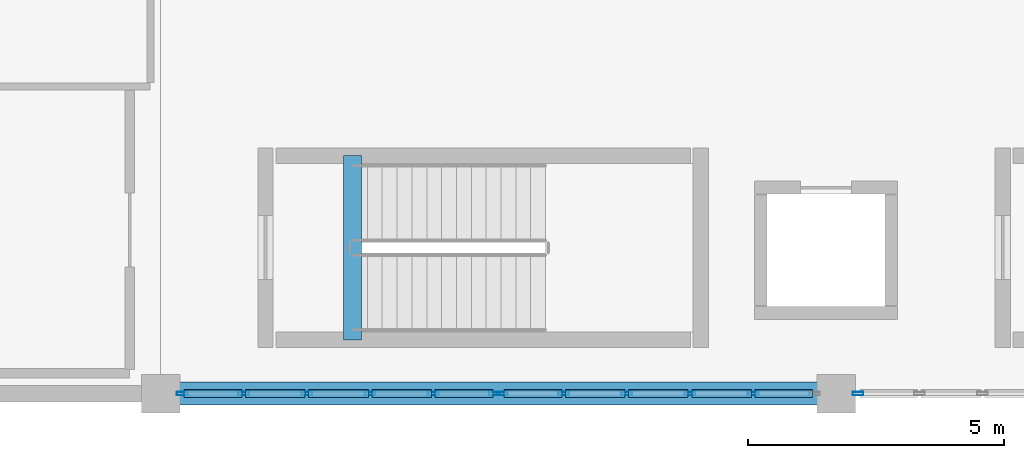
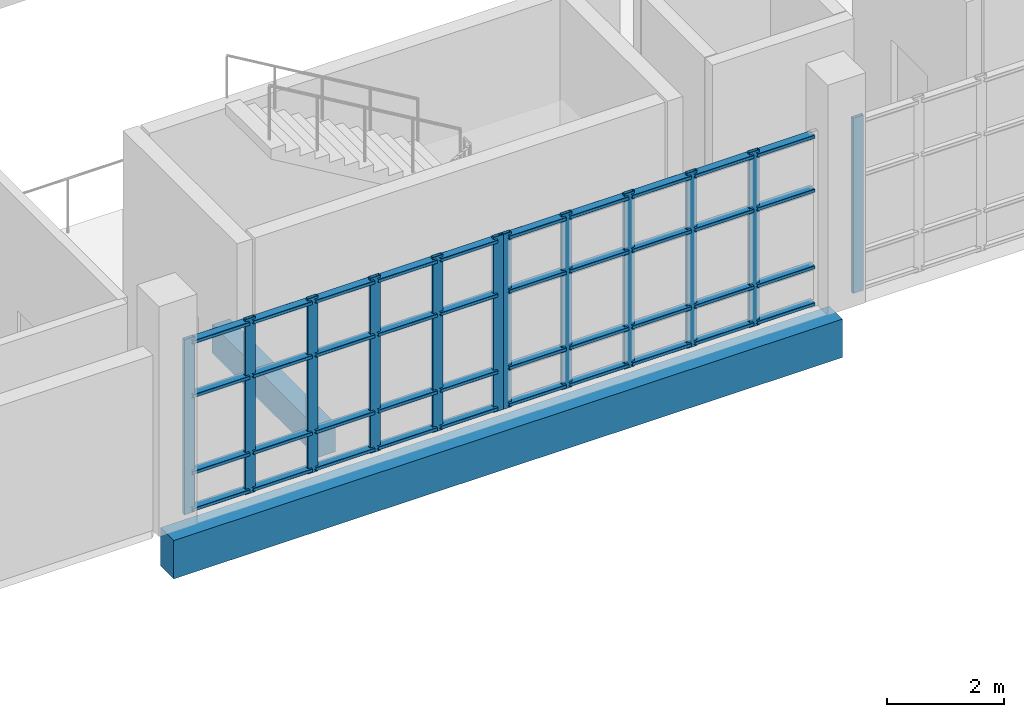
# One storey, part 44 of 106: 52 members, 2 beams, 3 elements without a shape of their own.
"""IFC4 building model written with IfcOpenShell, lengths in metres."""

from ifc_helpers import new_model, si_unit, direction, frame, origin, origin_2d, place, context, subcontext, project, spatial, rectangle, hollow_rectangle, extrude, material, layer, layer_set, material_profile, profile_set, type_object, element, aggregate, save


model = new_model("IFC4")

# Units and contexts
model_context = context("Model", 3, precision=1e-05, world=origin(), true_north=direction((0.0, 1.0)))
body_context = subcontext(model_context, "Body", "Model", "MODEL_VIEW")
ifc_project = project(units=[si_unit("LENGTHUNIT", "METRE"), si_unit("AREAUNIT", "SQUARE_METRE"), si_unit("VOLUMEUNIT", "CUBIC_METRE"), si_unit("PLANEANGLEUNIT", "RADIAN"), si_unit("MASSUNIT", "GRAM", prefix="KILO")], contexts=[model_context])

# Site, building, storey
site_placement = place(None, origin())
site = spatial("IfcSite", under=ifc_project, at=site_placement, CompositionType="ELEMENT")
building_placement = place(site_placement, origin())
building = spatial("IfcBuilding", under=site, at=building_placement, Name="Kisaragi Civic Commons", CompositionType="ELEMENT")
storey_placement = place(building_placement, frame((0.0, 0.0, 4.800048828125)))
storey = spatial("IfcBuildingStorey", under=building, at=storey_placement, Name="L01", CompositionType="ELEMENT", Elevation=4.800048828125)

# Curtain wall, member
ifc_material_1 = material(Name="Thermally broken anodized aluminium and low-E double glazing", Category="aluminium")
ifc_layer = layer(ifc_material_1, 0.2099609375, Name="Thermally broken anodized aluminium and low-E double glazing", Category="aluminium")
ifc_layer_set = layer_set([ifc_layer], Name="Thermally broken anodized aluminium and low-E double glazing")
curtain_wall_type = type_object("IfcCurtainWallType", Name="CW-02", PredefinedType="NOTDEFINED", material=ifc_layer_set)
curtain_wall_1_placement = place(storey_placement, origin())
curtain_wall_1 = element("IfcCurtainWall", 1, at=curtain_wall_1_placement, inside=storey, type_object=curtain_wall_type, Name="L01 curtain wall CW-02 CW-V3-L01-028", PredefinedType="NOTDEFINED")
ifc_material_profile_1 = material_profile(ifc_material_1, hollow_rectangle(XDim=0.070068359375, YDim=0.2099609375, WallThickness=0.0048828125, InnerFilletRadius=0.0048828125, OuterFilletRadius=0.010009765625, at=origin_2d()), Name="CWM-70x210x5", Category="aluminium")
ifc_profile_set_1 = profile_set([ifc_material_profile_1], Name="Thermally broken anodized aluminium and low-E double glazing")
member_type_1 = type_object("IfcMemberType", Name="CWM-03", PredefinedType="MULLION", material=ifc_profile_set_1)
member_1_placement = place(storey_placement, frame((160.02490234375, 0.0, 0.0), z_axis=(0.0, 0.0, 1.0), x_axis=(0.0, -1.0, 0.0)))
member_1 = element("IfcMember", 2, at=member_1_placement, type_object=member_type_1, Name="CW-02 mullion 6", PredefinedType="MULLION", context=body_context, shape_type="SweptSolid", body=[
    extrude(hollow_rectangle(XDim=0.070068359375, YDim=0.2099609375, WallThickness=0.0048828125, InnerFilletRadius=0.0048828125, OuterFilletRadius=0.010009765625, at=origin_2d()), origin(), (0.0, 0.0, 1.0), 3.655029296875),
])
aggregate(curtain_wall_1, [member_1])

# Curtain wall, members
curtain_wall_2_placement = place(storey_placement, origin())
curtain_wall_2 = element("IfcCurtainWall", 3, at=curtain_wall_2_placement, inside=storey, type_object=curtain_wall_type, Name="L01 curtain wall CW-02 CW-V3-L01-029", PredefinedType="NOTDEFINED")
member_2_placement = place(storey_placement, frame((157.97607421875, 0.0, 0.0), z_axis=(0.0, 0.0, 1.0), x_axis=(0.0, -1.0, 0.0)))
member_2 = element("IfcMember", 4, at=member_2_placement, type_object=member_type_1, Name="CW-02 mullion 2", PredefinedType="MULLION", context=body_context, shape_type="SweptSolid", body=[
    extrude(hollow_rectangle(XDim=0.070068359375, YDim=0.2099609375, WallThickness=0.0048828125, InnerFilletRadius=0.0048828125, OuterFilletRadius=0.010009765625, at=origin_2d()), origin(), (0.0, 0.0, 1.0), 3.655029296875),
])
member_3_placement = place(storey_placement, frame((156.741943359375, 0.0, 0.0), z_axis=(0.0, 0.0, 1.0), x_axis=(0.0, -1.0, 0.0)))
member_3 = element("IfcMember", 5, at=member_3_placement, type_object=member_type_1, Name="CW-02 mullion 3", PredefinedType="MULLION", context=body_context, shape_type="SweptSolid", body=[
    extrude(hollow_rectangle(XDim=0.070068359375, YDim=0.2099609375, WallThickness=0.0048828125, InnerFilletRadius=0.0048828125, OuterFilletRadius=0.010009765625, at=origin_2d()), origin(), (0.0, 0.0, 1.0), 3.655029296875),
])
member_4_placement = place(storey_placement, frame((155.508056640625, 0.0, 0.0), z_axis=(0.0, 0.0, 1.0), x_axis=(0.0, -1.0, 0.0)))
member_4 = element("IfcMember", 6, at=member_4_placement, type_object=member_type_1, Name="CW-02 mullion 4", PredefinedType="MULLION", context=body_context, shape_type="SweptSolid", body=[
    extrude(hollow_rectangle(XDim=0.070068359375, YDim=0.2099609375, WallThickness=0.0048828125, InnerFilletRadius=0.0048828125, OuterFilletRadius=0.010009765625, at=origin_2d()), origin(), (0.0, 0.0, 1.0), 3.655029296875),
])
member_5_placement = place(storey_placement, frame((154.27392578125, 0.0, 0.0), z_axis=(0.0, 0.0, 1.0), x_axis=(0.0, -1.0, 0.0)))
member_5 = element("IfcMember", 7, at=member_5_placement, type_object=member_type_1, Name="CW-02 mullion 5", PredefinedType="MULLION", context=body_context, shape_type="SweptSolid", body=[
    extrude(hollow_rectangle(XDim=0.070068359375, YDim=0.2099609375, WallThickness=0.0048828125, InnerFilletRadius=0.0048828125, OuterFilletRadius=0.010009765625, at=origin_2d()), origin(), (0.0, 0.0, 1.0), 3.655029296875),
])
member_6_placement = place(storey_placement, frame((153.074951171875, 0.0, 0.0), z_axis=(0.0, 0.0, 1.0), x_axis=(0.0, -1.0, 0.0)))
member_6 = element("IfcMember", 8, at=member_6_placement, type_object=member_type_1, Name="CW-02 mullion 6", PredefinedType="MULLION", context=body_context, shape_type="SweptSolid", body=[
    extrude(hollow_rectangle(XDim=0.070068359375, YDim=0.2099609375, WallThickness=0.0048828125, InnerFilletRadius=0.0048828125, OuterFilletRadius=0.010009765625, at=origin_2d()), origin(), (0.0, 0.0, 1.0), 3.655029296875),
])

curtain_wall_3_placement = place(storey_placement, origin())
curtain_wall_3 = element("IfcCurtainWall", 9, at=curtain_wall_3_placement, inside=storey, type_object=curtain_wall_type, Name="L01 curtain wall CW-02 CW-V3-L01-030", PredefinedType="NOTDEFINED")
member_7_placement = place(storey_placement, frame((152.925048828125, 0.0, 0.0), z_axis=(0.0, 0.0, 1.0), x_axis=(0.0, -1.0, 0.0)))
member_7 = element("IfcMember", 10, at=member_7_placement, type_object=member_type_1, Name="CW-02 mullion 1", PredefinedType="MULLION", context=body_context, shape_type="SweptSolid", body=[
    extrude(hollow_rectangle(XDim=0.070068359375, YDim=0.2099609375, WallThickness=0.0048828125, InnerFilletRadius=0.0048828125, OuterFilletRadius=0.010009765625, at=origin_2d()), origin(), (0.0, 0.0, 1.0), 3.655029296875),
])
member_8_placement = place(storey_placement, frame((151.72607421875, 0.0, 0.0), z_axis=(0.0, 0.0, 1.0), x_axis=(0.0, -1.0, 0.0)))
member_8 = element("IfcMember", 11, at=member_8_placement, type_object=member_type_1, Name="CW-02 mullion 2", PredefinedType="MULLION", context=body_context, shape_type="SweptSolid", body=[
    extrude(hollow_rectangle(XDim=0.070068359375, YDim=0.2099609375, WallThickness=0.0048828125, InnerFilletRadius=0.0048828125, OuterFilletRadius=0.010009765625, at=origin_2d()), origin(), (0.0, 0.0, 1.0), 3.655029296875),
])
member_9_placement = place(storey_placement, frame((150.491943359375, 0.0, 0.0), z_axis=(0.0, 0.0, 1.0), x_axis=(0.0, -1.0, 0.0)))
member_9 = element("IfcMember", 12, at=member_9_placement, type_object=member_type_1, Name="CW-02 mullion 3", PredefinedType="MULLION", context=body_context, shape_type="SweptSolid", body=[
    extrude(hollow_rectangle(XDim=0.070068359375, YDim=0.2099609375, WallThickness=0.0048828125, InnerFilletRadius=0.0048828125, OuterFilletRadius=0.010009765625, at=origin_2d()), origin(), (0.0, 0.0, 1.0), 3.655029296875),
])
member_10_placement = place(storey_placement, frame((149.258056640625, 0.0, 0.0), z_axis=(0.0, 0.0, 1.0), x_axis=(0.0, -1.0, 0.0)))
member_10 = element("IfcMember", 13, at=member_10_placement, type_object=member_type_1, Name="CW-02 mullion 4", PredefinedType="MULLION", context=body_context, shape_type="SweptSolid", body=[
    extrude(hollow_rectangle(XDim=0.070068359375, YDim=0.2099609375, WallThickness=0.0048828125, InnerFilletRadius=0.0048828125, OuterFilletRadius=0.010009765625, at=origin_2d()), origin(), (0.0, 0.0, 1.0), 3.655029296875),
])
member_11_placement = place(storey_placement, frame((148.02392578125, 0.0, 0.0), z_axis=(0.0, 0.0, 1.0), x_axis=(0.0, -1.0, 0.0)))
member_11 = element("IfcMember", 14, at=member_11_placement, type_object=member_type_1, Name="CW-02 mullion 5", PredefinedType="MULLION", context=body_context, shape_type="SweptSolid", body=[
    extrude(hollow_rectangle(XDim=0.070068359375, YDim=0.2099609375, WallThickness=0.0048828125, InnerFilletRadius=0.0048828125, OuterFilletRadius=0.010009765625, at=origin_2d()), origin(), (0.0, 0.0, 1.0), 3.655029296875),
])
member_12_placement = place(storey_placement, frame((146.824951171875, 0.0, 0.0), z_axis=(0.0, 0.0, 1.0), x_axis=(0.0, -1.0, 0.0)))
member_12 = element("IfcMember", 15, at=member_12_placement, type_object=member_type_1, Name="CW-02 mullion 6", PredefinedType="MULLION", context=body_context, shape_type="SweptSolid", body=[
    extrude(hollow_rectangle(XDim=0.070068359375, YDim=0.2099609375, WallThickness=0.0048828125, InnerFilletRadius=0.0048828125, OuterFilletRadius=0.010009765625, at=origin_2d()), origin(), (0.0, 0.0, 1.0), 3.655029296875),
])

# Member
ifc_material_profile_2 = material_profile(ifc_material_1, hollow_rectangle(XDim=0.159912109375, YDim=0.070068359375, WallThickness=0.0048828125, InnerFilletRadius=0.0048828125, OuterFilletRadius=0.010009765625, at=origin_2d()), Name="CWT-70x160x5", Category="aluminium")
ifc_profile_set_2 = profile_set([ifc_material_profile_2], Name="Thermally broken anodized aluminium and low-E double glazing")
member_type_2 = type_object("IfcMemberType", Name="CWT-03", PredefinedType="USERDEFINED", material=ifc_profile_set_2)
member_13_placement = place(storey_placement, frame((159.139892578125, 0.0, 0.079833984375), z_axis=(-1.0, 0.0, 0.0), x_axis=(0.0, -1.0, 0.0)))
member_13 = element("IfcMember", 16, at=member_13_placement, type_object=member_type_2, Name="CW-02 transom 1.1", ObjectType="TRANSOM", PredefinedType="USERDEFINED", context=body_context, shape_type="SweptSolid", body=[
    extrude(hollow_rectangle(XDim=0.159912109375, YDim=0.070068359375, WallThickness=0.0048828125, InnerFilletRadius=0.0048828125, OuterFilletRadius=0.010009765625, at=origin_2d()), origin(), (0.0, 0.0, 1.0), 1.12890625),
])

member_14_placement = place(storey_placement, frame((159.139892578125, 0.0, 0.849853515625), z_axis=(-1.0, 0.0, 0.0), x_axis=(0.0, -1.0, 0.0)))
member_14 = element("IfcMember", 17, at=member_14_placement, type_object=member_type_2, Name="CW-02 transom 1.2", ObjectType="TRANSOM", PredefinedType="USERDEFINED", context=body_context, shape_type="SweptSolid", body=[
    extrude(hollow_rectangle(XDim=0.159912109375, YDim=0.070068359375, WallThickness=0.0048828125, InnerFilletRadius=0.0048828125, OuterFilletRadius=0.010009765625, at=origin_2d()), origin(), (0.0, 0.0, 1.0), 1.12890625),
])

member_15_placement = place(storey_placement, frame((159.139892578125, 0.0, 2.449951171875), z_axis=(-1.0, 0.0, 0.0), x_axis=(0.0, -1.0, 0.0)))
member_15 = element("IfcMember", 18, at=member_15_placement, type_object=member_type_2, Name="CW-02 transom 1.3", ObjectType="TRANSOM", PredefinedType="USERDEFINED", context=body_context, shape_type="SweptSolid", body=[
    extrude(hollow_rectangle(XDim=0.159912109375, YDim=0.070068359375, WallThickness=0.0048828125, InnerFilletRadius=0.0048828125, OuterFilletRadius=0.010009765625, at=origin_2d()), origin(), (0.0, 0.0, 1.0), 1.12890625),
])

member_16_placement = place(storey_placement, frame((159.139892578125, 0.0, 3.574951171875), z_axis=(-1.0, 0.0, 0.0), x_axis=(0.0, -1.0, 0.0)))
member_16 = element("IfcMember", 19, at=member_16_placement, type_object=member_type_2, Name="CW-02 transom 1.4", ObjectType="TRANSOM", PredefinedType="USERDEFINED", context=body_context, shape_type="SweptSolid", body=[
    extrude(hollow_rectangle(XDim=0.159912109375, YDim=0.070068359375, WallThickness=0.0048828125, InnerFilletRadius=0.0048828125, OuterFilletRadius=0.010009765625, at=origin_2d()), origin(), (0.0, 0.0, 1.0), 1.12890625),
])

member_17_placement = place(storey_placement, frame((157.94091796875, 0.0, 0.079833984375), z_axis=(-1.0, 0.0, 0.0), x_axis=(0.0, -1.0, 0.0)))
member_17 = element("IfcMember", 20, at=member_17_placement, type_object=member_type_2, Name="CW-02 transom 2.1", ObjectType="TRANSOM", PredefinedType="USERDEFINED", context=body_context, shape_type="SweptSolid", body=[
    extrude(hollow_rectangle(XDim=0.159912109375, YDim=0.070068359375, WallThickness=0.0048828125, InnerFilletRadius=0.0048828125, OuterFilletRadius=0.010009765625, at=origin_2d()), origin(), (0.0, 0.0, 1.0), 1.163818359375),
])

member_18_placement = place(storey_placement, frame((157.94091796875, 0.0, 0.849853515625), z_axis=(-1.0, 0.0, 0.0), x_axis=(0.0, -1.0, 0.0)))
member_18 = element("IfcMember", 21, at=member_18_placement, type_object=member_type_2, Name="CW-02 transom 2.2", ObjectType="TRANSOM", PredefinedType="USERDEFINED", context=body_context, shape_type="SweptSolid", body=[
    extrude(hollow_rectangle(XDim=0.159912109375, YDim=0.070068359375, WallThickness=0.0048828125, InnerFilletRadius=0.0048828125, OuterFilletRadius=0.010009765625, at=origin_2d()), origin(), (0.0, 0.0, 1.0), 1.163818359375),
])

member_19_placement = place(storey_placement, frame((157.94091796875, 0.0, 2.449951171875), z_axis=(-1.0, 0.0, 0.0), x_axis=(0.0, -1.0, 0.0)))
member_19 = element("IfcMember", 22, at=member_19_placement, type_object=member_type_2, Name="CW-02 transom 2.3", ObjectType="TRANSOM", PredefinedType="USERDEFINED", context=body_context, shape_type="SweptSolid", body=[
    extrude(hollow_rectangle(XDim=0.159912109375, YDim=0.070068359375, WallThickness=0.0048828125, InnerFilletRadius=0.0048828125, OuterFilletRadius=0.010009765625, at=origin_2d()), origin(), (0.0, 0.0, 1.0), 1.163818359375),
])

member_20_placement = place(storey_placement, frame((157.94091796875, 0.0, 3.574951171875), z_axis=(-1.0, 0.0, 0.0), x_axis=(0.0, -1.0, 0.0)))
member_20 = element("IfcMember", 23, at=member_20_placement, type_object=member_type_2, Name="CW-02 transom 2.4", ObjectType="TRANSOM", PredefinedType="USERDEFINED", context=body_context, shape_type="SweptSolid", body=[
    extrude(hollow_rectangle(XDim=0.159912109375, YDim=0.070068359375, WallThickness=0.0048828125, InnerFilletRadius=0.0048828125, OuterFilletRadius=0.010009765625, at=origin_2d()), origin(), (0.0, 0.0, 1.0), 1.163818359375),
])

member_21_placement = place(storey_placement, frame((156.70703125, 0.0, 0.079833984375), z_axis=(-1.0, 0.0, 0.0), x_axis=(0.0, -1.0, 0.0)))
member_21 = element("IfcMember", 24, at=member_21_placement, type_object=member_type_2, Name="CW-02 transom 3.1", ObjectType="TRANSOM", PredefinedType="USERDEFINED", context=body_context, shape_type="SweptSolid", body=[
    extrude(hollow_rectangle(XDim=0.159912109375, YDim=0.070068359375, WallThickness=0.0048828125, InnerFilletRadius=0.0048828125, OuterFilletRadius=0.010009765625, at=origin_2d()), origin(), (0.0, 0.0, 1.0), 1.1640625),
])

member_22_placement = place(storey_placement, frame((156.70703125, 0.0, 0.849853515625), z_axis=(-1.0, 0.0, 0.0), x_axis=(0.0, -1.0, 0.0)))
member_22 = element("IfcMember", 25, at=member_22_placement, type_object=member_type_2, Name="CW-02 transom 3.2", ObjectType="TRANSOM", PredefinedType="USERDEFINED", context=body_context, shape_type="SweptSolid", body=[
    extrude(hollow_rectangle(XDim=0.159912109375, YDim=0.070068359375, WallThickness=0.0048828125, InnerFilletRadius=0.0048828125, OuterFilletRadius=0.010009765625, at=origin_2d()), origin(), (0.0, 0.0, 1.0), 1.1640625),
])

member_23_placement = place(storey_placement, frame((156.70703125, 0.0, 2.449951171875), z_axis=(-1.0, 0.0, 0.0), x_axis=(0.0, -1.0, 0.0)))
member_23 = element("IfcMember", 26, at=member_23_placement, type_object=member_type_2, Name="CW-02 transom 3.3", ObjectType="TRANSOM", PredefinedType="USERDEFINED", context=body_context, shape_type="SweptSolid", body=[
    extrude(hollow_rectangle(XDim=0.159912109375, YDim=0.070068359375, WallThickness=0.0048828125, InnerFilletRadius=0.0048828125, OuterFilletRadius=0.010009765625, at=origin_2d()), origin(), (0.0, 0.0, 1.0), 1.1640625),
])

member_24_placement = place(storey_placement, frame((156.70703125, 0.0, 3.574951171875), z_axis=(-1.0, 0.0, 0.0), x_axis=(0.0, -1.0, 0.0)))
member_24 = element("IfcMember", 27, at=member_24_placement, type_object=member_type_2, Name="CW-02 transom 3.4", ObjectType="TRANSOM", PredefinedType="USERDEFINED", context=body_context, shape_type="SweptSolid", body=[
    extrude(hollow_rectangle(XDim=0.159912109375, YDim=0.070068359375, WallThickness=0.0048828125, InnerFilletRadius=0.0048828125, OuterFilletRadius=0.010009765625, at=origin_2d()), origin(), (0.0, 0.0, 1.0), 1.1640625),
])

member_25_placement = place(storey_placement, frame((155.472900390625, 0.0, 0.079833984375), z_axis=(-1.0, 0.0, 0.0), x_axis=(0.0, -1.0, 0.0)))
member_25 = element("IfcMember", 28, at=member_25_placement, type_object=member_type_2, Name="CW-02 transom 4.1", ObjectType="TRANSOM", PredefinedType="USERDEFINED", context=body_context, shape_type="SweptSolid", body=[
    extrude(hollow_rectangle(XDim=0.159912109375, YDim=0.070068359375, WallThickness=0.0048828125, InnerFilletRadius=0.0048828125, OuterFilletRadius=0.010009765625, at=origin_2d()), origin(), (0.0, 0.0, 1.0), 1.163818359375),
])

member_26_placement = place(storey_placement, frame((155.472900390625, 0.0, 0.849853515625), z_axis=(-1.0, 0.0, 0.0), x_axis=(0.0, -1.0, 0.0)))
member_26 = element("IfcMember", 29, at=member_26_placement, type_object=member_type_2, Name="CW-02 transom 4.2", ObjectType="TRANSOM", PredefinedType="USERDEFINED", context=body_context, shape_type="SweptSolid", body=[
    extrude(hollow_rectangle(XDim=0.159912109375, YDim=0.070068359375, WallThickness=0.0048828125, InnerFilletRadius=0.0048828125, OuterFilletRadius=0.010009765625, at=origin_2d()), origin(), (0.0, 0.0, 1.0), 1.163818359375),
])

member_27_placement = place(storey_placement, frame((155.472900390625, 0.0, 2.449951171875), z_axis=(-1.0, 0.0, 0.0), x_axis=(0.0, -1.0, 0.0)))
member_27 = element("IfcMember", 30, at=member_27_placement, type_object=member_type_2, Name="CW-02 transom 4.3", ObjectType="TRANSOM", PredefinedType="USERDEFINED", context=body_context, shape_type="SweptSolid", body=[
    extrude(hollow_rectangle(XDim=0.159912109375, YDim=0.070068359375, WallThickness=0.0048828125, InnerFilletRadius=0.0048828125, OuterFilletRadius=0.010009765625, at=origin_2d()), origin(), (0.0, 0.0, 1.0), 1.163818359375),
])

member_28_placement = place(storey_placement, frame((155.472900390625, 0.0, 3.574951171875), z_axis=(-1.0, 0.0, 0.0), x_axis=(0.0, -1.0, 0.0)))
member_28 = element("IfcMember", 31, at=member_28_placement, type_object=member_type_2, Name="CW-02 transom 4.4", ObjectType="TRANSOM", PredefinedType="USERDEFINED", context=body_context, shape_type="SweptSolid", body=[
    extrude(hollow_rectangle(XDim=0.159912109375, YDim=0.070068359375, WallThickness=0.0048828125, InnerFilletRadius=0.0048828125, OuterFilletRadius=0.010009765625, at=origin_2d()), origin(), (0.0, 0.0, 1.0), 1.163818359375),
])

member_29_placement = place(storey_placement, frame((154.239013671875, 0.0, 0.079833984375), z_axis=(-1.0, 0.0, 0.0), x_axis=(0.0, -1.0, 0.0)))
member_29 = element("IfcMember", 32, at=member_29_placement, type_object=member_type_2, Name="CW-02 transom 5.1", ObjectType="TRANSOM", PredefinedType="USERDEFINED", context=body_context, shape_type="SweptSolid", body=[
    extrude(hollow_rectangle(XDim=0.159912109375, YDim=0.070068359375, WallThickness=0.0048828125, InnerFilletRadius=0.0048828125, OuterFilletRadius=0.010009765625, at=origin_2d()), origin(), (0.0, 0.0, 1.0), 1.12890625),
])

member_30_placement = place(storey_placement, frame((154.239013671875, 0.0, 0.849853515625), z_axis=(-1.0, 0.0, 0.0), x_axis=(0.0, -1.0, 0.0)))
member_30 = element("IfcMember", 33, at=member_30_placement, type_object=member_type_2, Name="CW-02 transom 5.2", ObjectType="TRANSOM", PredefinedType="USERDEFINED", context=body_context, shape_type="SweptSolid", body=[
    extrude(hollow_rectangle(XDim=0.159912109375, YDim=0.070068359375, WallThickness=0.0048828125, InnerFilletRadius=0.0048828125, OuterFilletRadius=0.010009765625, at=origin_2d()), origin(), (0.0, 0.0, 1.0), 1.12890625),
])

member_31_placement = place(storey_placement, frame((154.239013671875, 0.0, 2.449951171875), z_axis=(-1.0, 0.0, 0.0), x_axis=(0.0, -1.0, 0.0)))
member_31 = element("IfcMember", 34, at=member_31_placement, type_object=member_type_2, Name="CW-02 transom 5.3", ObjectType="TRANSOM", PredefinedType="USERDEFINED", context=body_context, shape_type="SweptSolid", body=[
    extrude(hollow_rectangle(XDim=0.159912109375, YDim=0.070068359375, WallThickness=0.0048828125, InnerFilletRadius=0.0048828125, OuterFilletRadius=0.010009765625, at=origin_2d()), origin(), (0.0, 0.0, 1.0), 1.12890625),
])

member_32_placement = place(storey_placement, frame((154.239013671875, 0.0, 3.574951171875), z_axis=(-1.0, 0.0, 0.0), x_axis=(0.0, -1.0, 0.0)))
member_32 = element("IfcMember", 35, at=member_32_placement, type_object=member_type_2, Name="CW-02 transom 5.4", ObjectType="TRANSOM", PredefinedType="USERDEFINED", context=body_context, shape_type="SweptSolid", body=[
    extrude(hollow_rectangle(XDim=0.159912109375, YDim=0.070068359375, WallThickness=0.0048828125, InnerFilletRadius=0.0048828125, OuterFilletRadius=0.010009765625, at=origin_2d()), origin(), (0.0, 0.0, 1.0), 1.12890625),
])

aggregate(curtain_wall_2, [member_2, member_3, member_4, member_5, member_6, member_13, member_14, member_15, member_16, member_17, member_18, member_19, member_20, member_21, member_22, member_23, member_24, member_25, member_26, member_27, member_28, member_29, member_30, member_31, member_32])

member_33_placement = place(storey_placement, frame((152.889892578125, 0.0, 0.079833984375), z_axis=(-1.0, 0.0, 0.0), x_axis=(0.0, -1.0, 0.0)))
member_33 = element("IfcMember", 36, at=member_33_placement, type_object=member_type_2, Name="CW-02 transom 1.1", ObjectType="TRANSOM", PredefinedType="USERDEFINED", context=body_context, shape_type="SweptSolid", body=[
    extrude(hollow_rectangle(XDim=0.159912109375, YDim=0.070068359375, WallThickness=0.0048828125, InnerFilletRadius=0.0048828125, OuterFilletRadius=0.010009765625, at=origin_2d()), origin(), (0.0, 0.0, 1.0), 1.12890625),
])

member_34_placement = place(storey_placement, frame((152.889892578125, 0.0, 0.849853515625), z_axis=(-1.0, 0.0, 0.0), x_axis=(0.0, -1.0, 0.0)))
member_34 = element("IfcMember", 37, at=member_34_placement, type_object=member_type_2, Name="CW-02 transom 1.2", ObjectType="TRANSOM", PredefinedType="USERDEFINED", context=body_context, shape_type="SweptSolid", body=[
    extrude(hollow_rectangle(XDim=0.159912109375, YDim=0.070068359375, WallThickness=0.0048828125, InnerFilletRadius=0.0048828125, OuterFilletRadius=0.010009765625, at=origin_2d()), origin(), (0.0, 0.0, 1.0), 1.12890625),
])

member_35_placement = place(storey_placement, frame((152.889892578125, 0.0, 2.449951171875), z_axis=(-1.0, 0.0, 0.0), x_axis=(0.0, -1.0, 0.0)))
member_35 = element("IfcMember", 38, at=member_35_placement, type_object=member_type_2, Name="CW-02 transom 1.3", ObjectType="TRANSOM", PredefinedType="USERDEFINED", context=body_context, shape_type="SweptSolid", body=[
    extrude(hollow_rectangle(XDim=0.159912109375, YDim=0.070068359375, WallThickness=0.0048828125, InnerFilletRadius=0.0048828125, OuterFilletRadius=0.010009765625, at=origin_2d()), origin(), (0.0, 0.0, 1.0), 1.12890625),
])

member_36_placement = place(storey_placement, frame((152.889892578125, 0.0, 3.574951171875), z_axis=(-1.0, 0.0, 0.0), x_axis=(0.0, -1.0, 0.0)))
member_36 = element("IfcMember", 39, at=member_36_placement, type_object=member_type_2, Name="CW-02 transom 1.4", ObjectType="TRANSOM", PredefinedType="USERDEFINED", context=body_context, shape_type="SweptSolid", body=[
    extrude(hollow_rectangle(XDim=0.159912109375, YDim=0.070068359375, WallThickness=0.0048828125, InnerFilletRadius=0.0048828125, OuterFilletRadius=0.010009765625, at=origin_2d()), origin(), (0.0, 0.0, 1.0), 1.12890625),
])

member_37_placement = place(storey_placement, frame((151.69091796875, 0.0, 0.079833984375), z_axis=(-1.0, 0.0, 0.0), x_axis=(0.0, -1.0, 0.0)))
member_37 = element("IfcMember", 40, at=member_37_placement, type_object=member_type_2, Name="CW-02 transom 2.1", ObjectType="TRANSOM", PredefinedType="USERDEFINED", context=body_context, shape_type="SweptSolid", body=[
    extrude(hollow_rectangle(XDim=0.159912109375, YDim=0.070068359375, WallThickness=0.0048828125, InnerFilletRadius=0.0048828125, OuterFilletRadius=0.010009765625, at=origin_2d()), origin(), (0.0, 0.0, 1.0), 1.163818359375),
])

member_38_placement = place(storey_placement, frame((151.69091796875, 0.0, 0.849853515625), z_axis=(-1.0, 0.0, 0.0), x_axis=(0.0, -1.0, 0.0)))
member_38 = element("IfcMember", 41, at=member_38_placement, type_object=member_type_2, Name="CW-02 transom 2.2", ObjectType="TRANSOM", PredefinedType="USERDEFINED", context=body_context, shape_type="SweptSolid", body=[
    extrude(hollow_rectangle(XDim=0.159912109375, YDim=0.070068359375, WallThickness=0.0048828125, InnerFilletRadius=0.0048828125, OuterFilletRadius=0.010009765625, at=origin_2d()), origin(), (0.0, 0.0, 1.0), 1.163818359375),
])

member_39_placement = place(storey_placement, frame((151.69091796875, 0.0, 2.449951171875), z_axis=(-1.0, 0.0, 0.0), x_axis=(0.0, -1.0, 0.0)))
member_39 = element("IfcMember", 42, at=member_39_placement, type_object=member_type_2, Name="CW-02 transom 2.3", ObjectType="TRANSOM", PredefinedType="USERDEFINED", context=body_context, shape_type="SweptSolid", body=[
    extrude(hollow_rectangle(XDim=0.159912109375, YDim=0.070068359375, WallThickness=0.0048828125, InnerFilletRadius=0.0048828125, OuterFilletRadius=0.010009765625, at=origin_2d()), origin(), (0.0, 0.0, 1.0), 1.163818359375),
])

member_40_placement = place(storey_placement, frame((151.69091796875, 0.0, 3.574951171875), z_axis=(-1.0, 0.0, 0.0), x_axis=(0.0, -1.0, 0.0)))
member_40 = element("IfcMember", 43, at=member_40_placement, type_object=member_type_2, Name="CW-02 transom 2.4", ObjectType="TRANSOM", PredefinedType="USERDEFINED", context=body_context, shape_type="SweptSolid", body=[
    extrude(hollow_rectangle(XDim=0.159912109375, YDim=0.070068359375, WallThickness=0.0048828125, InnerFilletRadius=0.0048828125, OuterFilletRadius=0.010009765625, at=origin_2d()), origin(), (0.0, 0.0, 1.0), 1.163818359375),
])

member_41_placement = place(storey_placement, frame((150.45703125, 0.0, 0.079833984375), z_axis=(-1.0, 0.0, 0.0), x_axis=(0.0, -1.0, 0.0)))
member_41 = element("IfcMember", 44, at=member_41_placement, type_object=member_type_2, Name="CW-02 transom 3.1", ObjectType="TRANSOM", PredefinedType="USERDEFINED", context=body_context, shape_type="SweptSolid", body=[
    extrude(hollow_rectangle(XDim=0.159912109375, YDim=0.070068359375, WallThickness=0.0048828125, InnerFilletRadius=0.0048828125, OuterFilletRadius=0.010009765625, at=origin_2d()), origin(), (0.0, 0.0, 1.0), 1.1640625),
])

member_42_placement = place(storey_placement, frame((150.45703125, 0.0, 0.849853515625), z_axis=(-1.0, 0.0, 0.0), x_axis=(0.0, -1.0, 0.0)))
member_42 = element("IfcMember", 45, at=member_42_placement, type_object=member_type_2, Name="CW-02 transom 3.2", ObjectType="TRANSOM", PredefinedType="USERDEFINED", context=body_context, shape_type="SweptSolid", body=[
    extrude(hollow_rectangle(XDim=0.159912109375, YDim=0.070068359375, WallThickness=0.0048828125, InnerFilletRadius=0.0048828125, OuterFilletRadius=0.010009765625, at=origin_2d()), origin(), (0.0, 0.0, 1.0), 1.1640625),
])

member_43_placement = place(storey_placement, frame((150.45703125, 0.0, 2.449951171875), z_axis=(-1.0, 0.0, 0.0), x_axis=(0.0, -1.0, 0.0)))
member_43 = element("IfcMember", 46, at=member_43_placement, type_object=member_type_2, Name="CW-02 transom 3.3", ObjectType="TRANSOM", PredefinedType="USERDEFINED", context=body_context, shape_type="SweptSolid", body=[
    extrude(hollow_rectangle(XDim=0.159912109375, YDim=0.070068359375, WallThickness=0.0048828125, InnerFilletRadius=0.0048828125, OuterFilletRadius=0.010009765625, at=origin_2d()), origin(), (0.0, 0.0, 1.0), 1.1640625),
])

member_44_placement = place(storey_placement, frame((150.45703125, 0.0, 3.574951171875), z_axis=(-1.0, 0.0, 0.0), x_axis=(0.0, -1.0, 0.0)))
member_44 = element("IfcMember", 47, at=member_44_placement, type_object=member_type_2, Name="CW-02 transom 3.4", ObjectType="TRANSOM", PredefinedType="USERDEFINED", context=body_context, shape_type="SweptSolid", body=[
    extrude(hollow_rectangle(XDim=0.159912109375, YDim=0.070068359375, WallThickness=0.0048828125, InnerFilletRadius=0.0048828125, OuterFilletRadius=0.010009765625, at=origin_2d()), origin(), (0.0, 0.0, 1.0), 1.1640625),
])

member_45_placement = place(storey_placement, frame((149.222900390625, 0.0, 0.079833984375), z_axis=(-1.0, 0.0, 0.0), x_axis=(0.0, -1.0, 0.0)))
member_45 = element("IfcMember", 48, at=member_45_placement, type_object=member_type_2, Name="CW-02 transom 4.1", ObjectType="TRANSOM", PredefinedType="USERDEFINED", context=body_context, shape_type="SweptSolid", body=[
    extrude(hollow_rectangle(XDim=0.159912109375, YDim=0.070068359375, WallThickness=0.0048828125, InnerFilletRadius=0.0048828125, OuterFilletRadius=0.010009765625, at=origin_2d()), origin(), (0.0, 0.0, 1.0), 1.163818359375),
])

member_46_placement = place(storey_placement, frame((149.222900390625, 0.0, 0.849853515625), z_axis=(-1.0, 0.0, 0.0), x_axis=(0.0, -1.0, 0.0)))
member_46 = element("IfcMember", 49, at=member_46_placement, type_object=member_type_2, Name="CW-02 transom 4.2", ObjectType="TRANSOM", PredefinedType="USERDEFINED", context=body_context, shape_type="SweptSolid", body=[
    extrude(hollow_rectangle(XDim=0.159912109375, YDim=0.070068359375, WallThickness=0.0048828125, InnerFilletRadius=0.0048828125, OuterFilletRadius=0.010009765625, at=origin_2d()), origin(), (0.0, 0.0, 1.0), 1.163818359375),
])

member_47_placement = place(storey_placement, frame((149.222900390625, 0.0, 2.449951171875), z_axis=(-1.0, 0.0, 0.0), x_axis=(0.0, -1.0, 0.0)))
member_47 = element("IfcMember", 50, at=member_47_placement, type_object=member_type_2, Name="CW-02 transom 4.3", ObjectType="TRANSOM", PredefinedType="USERDEFINED", context=body_context, shape_type="SweptSolid", body=[
    extrude(hollow_rectangle(XDim=0.159912109375, YDim=0.070068359375, WallThickness=0.0048828125, InnerFilletRadius=0.0048828125, OuterFilletRadius=0.010009765625, at=origin_2d()), origin(), (0.0, 0.0, 1.0), 1.163818359375),
])

member_48_placement = place(storey_placement, frame((149.222900390625, 0.0, 3.574951171875), z_axis=(-1.0, 0.0, 0.0), x_axis=(0.0, -1.0, 0.0)))
member_48 = element("IfcMember", 51, at=member_48_placement, type_object=member_type_2, Name="CW-02 transom 4.4", ObjectType="TRANSOM", PredefinedType="USERDEFINED", context=body_context, shape_type="SweptSolid", body=[
    extrude(hollow_rectangle(XDim=0.159912109375, YDim=0.070068359375, WallThickness=0.0048828125, InnerFilletRadius=0.0048828125, OuterFilletRadius=0.010009765625, at=origin_2d()), origin(), (0.0, 0.0, 1.0), 1.163818359375),
])

member_49_placement = place(storey_placement, frame((147.989013671875, 0.0, 0.079833984375), z_axis=(-1.0, 0.0, 0.0), x_axis=(0.0, -1.0, 0.0)))
member_49 = element("IfcMember", 52, at=member_49_placement, type_object=member_type_2, Name="CW-02 transom 5.1", ObjectType="TRANSOM", PredefinedType="USERDEFINED", context=body_context, shape_type="SweptSolid", body=[
    extrude(hollow_rectangle(XDim=0.159912109375, YDim=0.070068359375, WallThickness=0.0048828125, InnerFilletRadius=0.0048828125, OuterFilletRadius=0.010009765625, at=origin_2d()), origin(), (0.0, 0.0, 1.0), 1.12890625),
])

member_50_placement = place(storey_placement, frame((147.989013671875, 0.0, 0.849853515625), z_axis=(-1.0, 0.0, 0.0), x_axis=(0.0, -1.0, 0.0)))
member_50 = element("IfcMember", 53, at=member_50_placement, type_object=member_type_2, Name="CW-02 transom 5.2", ObjectType="TRANSOM", PredefinedType="USERDEFINED", context=body_context, shape_type="SweptSolid", body=[
    extrude(hollow_rectangle(XDim=0.159912109375, YDim=0.070068359375, WallThickness=0.0048828125, InnerFilletRadius=0.0048828125, OuterFilletRadius=0.010009765625, at=origin_2d()), origin(), (0.0, 0.0, 1.0), 1.12890625),
])

member_51_placement = place(storey_placement, frame((147.989013671875, 0.0, 2.449951171875), z_axis=(-1.0, 0.0, 0.0), x_axis=(0.0, -1.0, 0.0)))
member_51 = element("IfcMember", 54, at=member_51_placement, type_object=member_type_2, Name="CW-02 transom 5.3", ObjectType="TRANSOM", PredefinedType="USERDEFINED", context=body_context, shape_type="SweptSolid", body=[
    extrude(hollow_rectangle(XDim=0.159912109375, YDim=0.070068359375, WallThickness=0.0048828125, InnerFilletRadius=0.0048828125, OuterFilletRadius=0.010009765625, at=origin_2d()), origin(), (0.0, 0.0, 1.0), 1.12890625),
])

member_52_placement = place(storey_placement, frame((147.989013671875, 0.0, 3.574951171875), z_axis=(-1.0, 0.0, 0.0), x_axis=(0.0, -1.0, 0.0)))
member_52 = element("IfcMember", 55, at=member_52_placement, type_object=member_type_2, Name="CW-02 transom 5.4", ObjectType="TRANSOM", PredefinedType="USERDEFINED", context=body_context, shape_type="SweptSolid", body=[
    extrude(hollow_rectangle(XDim=0.159912109375, YDim=0.070068359375, WallThickness=0.0048828125, InnerFilletRadius=0.0048828125, OuterFilletRadius=0.010009765625, at=origin_2d()), origin(), (0.0, 0.0, 1.0), 1.12890625),
])

aggregate(curtain_wall_3, [member_7, member_8, member_9, member_10, member_11, member_12, member_33, member_34, member_35, member_36, member_37, member_38, member_39, member_40, member_41, member_42, member_43, member_44, member_45, member_46, member_47, member_48, member_49, member_50, member_51, member_52])

# Beams
ifc_material_2 = material(Name="Concrete Fc30", Category="concrete")
ifc_material_profile_3 = material_profile(ifc_material_2, rectangle(XDim=0.35009765625, YDim=0.60009765625, at=origin_2d()), Name="RC-350x600", Category="concrete")
ifc_profile_set_3 = profile_set([ifc_material_profile_3], Name="Concrete Fc30")
beam_type_1 = type_object("IfcBeamType", Name="G-14", PredefinedType="BEAM", material=ifc_profile_set_3)
beam_1_placement = place(storey_placement, frame((150.14990234375, 1.050048828125, -0.300048828125), z_axis=(0.0, 1.0, 0.0), x_axis=(-1.0, 0.0, 0.0)))
element("IfcBeam", 56, at=beam_1_placement, inside=storey, type_object=beam_type_1, Name="ST-D1 L01 stair landing trimmer beam", PredefinedType="BEAM", context=body_context, shape_type="SweptSolid", body=[
    extrude(rectangle(XDim=0.35009765625, YDim=0.60009765625, at=origin_2d()), origin(), (0.0, 0.0, 1.0), 3.599853515625),
])
ifc_material_profile_4 = material_profile(ifc_material_2, rectangle(XDim=0.449951171875, YDim=0.800048828125, at=origin_2d()), Name="RC-450x800", Category="concrete")
ifc_profile_set_4 = profile_set([ifc_material_profile_4], Name="Concrete Fc30")
beam_type_2 = type_object("IfcBeamType", Name="SPB-01", PredefinedType="SPANDREL", material=ifc_profile_set_4)
beam_2_placement = place(storey_placement, frame((146.39990234375, 0.0, -0.705078125), z_axis=(1.0, 0.0, 0.0), x_axis=(0.0, 1.0, 0.0)))
element("IfcBeam", 57, at=beam_2_placement, inside=storey, type_object=beam_type_2, Name="L01 girder SPB-01 206", PredefinedType="SPANDREL", context=body_context, shape_type="SweptSolid", body=[
    extrude(rectangle(XDim=0.449951171875, YDim=0.800048828125, at=origin_2d()), origin(), (0.0, 0.0, 1.0), 13.2001953125),
])

save(model, "model.ifc")
